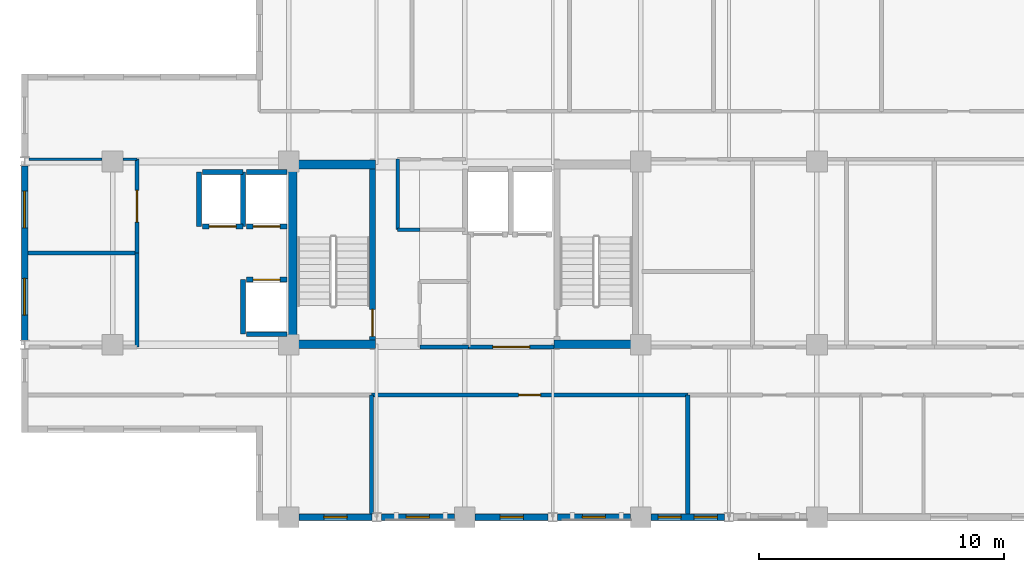
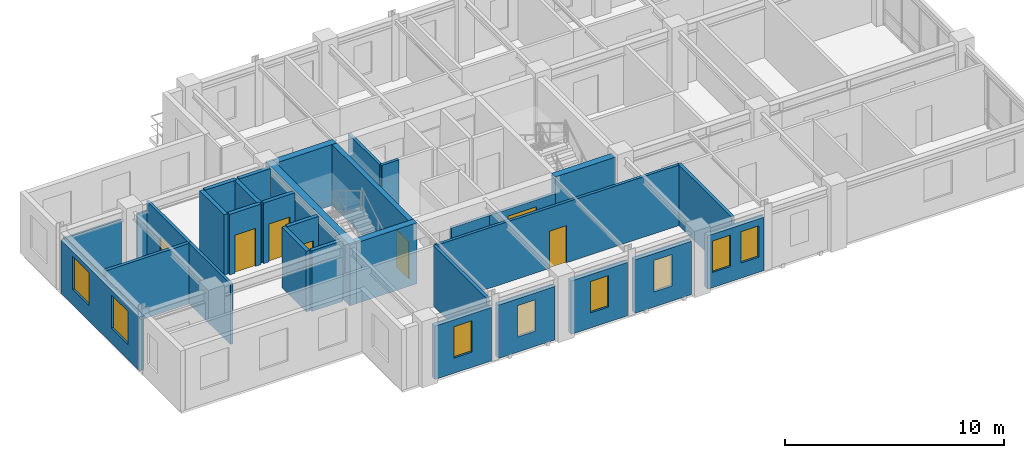
# One storey, part 6 of 10: 32 walls, 8 windows, 7 doors, 15 openings.
"""IFC4 building model written with IfcOpenShell, lengths in metres."""

import ifcopenshell
import ifcopenshell.guid

model = None  # the IFC model being written
_history = None  # IfcOwnerHistory: only IFC2X3 demands one
_inside = {}  # id of a spatial element -> (the spatial element, [elements in it])
_under = {}  # id of a project, library or spatial element -> (it, [spatial elements below it])
_declared = {}  # id of a project -> (the project, [libraries it declares])
_typed = {}  # id of a type object -> (the type object, [elements of that type])
_made_of = {}  # id of a material, layer set ... -> (it, [elements and type objects made of it])


def new_model(schema):
    """Start an empty IFC model of exactly this schema.

    Asked for "IFC4X3", IfcOpenShell would pick the latest addendum, in which some entities
    have other attributes; the version numbers below select the first issue.
    IFC2X3 requires an IfcOwnerHistory on every rooted entity: one is made here for all.
    """
    global model, _history
    if schema == "IFC4X3":
        model = ifcopenshell.file(schema_version=(4, 3, 0, 0))
    else:
        model = ifcopenshell.file(schema=schema)
    _inside.clear()
    _under.clear()
    _declared.clear()
    _typed.clear()
    _made_of.clear()
    _history = None
    if model.schema == "IFC2X3":
        org = make("IfcOrganization", Name="unknown")
        user = make(
            "IfcPersonAndOrganization",
            ThePerson=make("IfcPerson", FamilyName="unknown"),
            TheOrganization=org,
        )
        app = make(
            "IfcApplication",
            ApplicationDeveloper=org,
            Version="unknown",
            ApplicationFullName="unknown",
            ApplicationIdentifier="unknown",
        )
        _history = make(
            "IfcOwnerHistory",
            OwningUser=user,
            OwningApplication=app,
            ChangeAction="ADDED",
            CreationDate=0,
        )
    return model


def make(cls, **values):
    """One entity of the class cls with the attributes given. An attribute that is None is left unset."""
    return model.create_entity(
        cls, **{name: value for name, value in values.items() if value is not None}
    )


def rooted(cls, **values):
    """An entity with a GlobalId (a new one), such as an element, a storey or a relation."""
    return make(cls, GlobalId=ifcopenshell.guid.new(), OwnerHistory=_history, **values)


def si_unit(unit_type, name, prefix=None):
    """IfcSIUnit, for example si_unit("LENGTHUNIT", "METRE", prefix="MILLI")."""
    return make("IfcSIUnit", UnitType=unit_type, Prefix=prefix, Name=name)


def assignment(units):
    """IfcUnitAssignment: the units of a project."""
    return None if units is None else make("IfcUnitAssignment", Units=units)


def point(xyz):
    """IfcCartesianPoint."""
    return None if xyz is None else make("IfcCartesianPoint", Coordinates=xyz)


def direction(xyz):
    """IfcDirection."""
    return None if xyz is None else make("IfcDirection", DirectionRatios=xyz)


def frame(location, z_axis=None, x_axis=None):
    """IfcAxis2Placement3D, a coordinate frame: its origin and axes. An axis left out is left unset."""
    return make(
        "IfcAxis2Placement3D",
        Location=point(location),
        Axis=direction(z_axis),
        RefDirection=direction(x_axis),
    )


def frame_2d(location, x_axis=None):
    """IfcAxis2Placement2D, a coordinate frame in the plane: its origin and x axis."""
    return make(
        "IfcAxis2Placement2D", Location=point(location), RefDirection=direction(x_axis)
    )


def origin():
    """The frame at (0, 0, 0) with its axes left unset."""
    return frame((0.0, 0.0, 0.0))


def place(relative_to, where):
    """IfcLocalPlacement: puts the frame where relative to a parent placement (None: the world)."""
    return make(
        "IfcLocalPlacement", PlacementRelTo=relative_to, RelativePlacement=where
    )


def context(
    kind, dimensions, precision=None, world=None, true_north=None, identifier=None
):
    """IfcGeometricRepresentationContext, for example the 3D "Model" context."""
    return make(
        "IfcGeometricRepresentationContext",
        ContextIdentifier=identifier,
        ContextType=kind,
        CoordinateSpaceDimension=dimensions,
        Precision=precision,
        WorldCoordinateSystem=world,
        TrueNorth=true_north,
    )


def subcontext(parent, identifier, kind, view, scale=None):
    """IfcGeometricRepresentationSubContext, for example "Body" below "Model"."""
    return make(
        "IfcGeometricRepresentationSubContext",
        ContextIdentifier=identifier,
        ContextType=kind,
        ParentContext=parent,
        TargetScale=scale,
        TargetView=view,
    )


def project(units=None, contexts=None):
    """IfcProject with its units and contexts."""
    return rooted(
        "IfcProject",
        Name="project",
        RepresentationContexts=contexts,
        UnitsInContext=assignment(units),
    )


def spatial(cls, under=None, at=None, **own):
    """A site, building, storey or space (cls), placed at a placement, below another one or the project."""
    s = rooted(cls, ObjectPlacement=at, **own)
    if under is not None:
        _under.setdefault(under.id(), (under, []))[1].append(s)
    return s


def profile(cls, at=None, kind="AREA", **sizes):
    """A parametric profile (cls). Its sizes go by their IFC names, for example OverallWidth=200.0."""
    return make(cls, ProfileType=kind, Position=at, **sizes)


def rectangle(**sizes):
    """IfcRectangleProfileDef."""
    return profile("IfcRectangleProfileDef", **sizes)


def extrude(swept, where, along, depth):
    """IfcExtrudedAreaSolid: the profile swept, set in the frame where, extruded along a direction by depth."""
    return make(
        "IfcExtrudedAreaSolid",
        SweptArea=swept,
        Position=where,
        ExtrudedDirection=direction(along),
        Depth=depth,
    )


def shape(context_of_items, identifier, shape_type, items):
    """IfcShapeRepresentation: the items that make up one representation, for example the "Body"."""
    return make(
        "IfcShapeRepresentation",
        ContextOfItems=context_of_items,
        RepresentationIdentifier=identifier,
        RepresentationType=shape_type,
        Items=items,
    )


def material(Name=None, Category=None):
    """IfcMaterial."""
    return make("IfcMaterial", Name=Name, Category=Category)


def layer(
    of_material, thickness, ventilated=None, Name=None, Category=None, Priority=None
):
    """IfcMaterialLayer: one layer of a wall or slab, of a material (None: an air gap)."""
    return make(
        "IfcMaterialLayer",
        Material=of_material,
        LayerThickness=thickness,
        IsVentilated=ventilated,
        Name=Name,
        Category=Category,
        Priority=Priority,
    )


def layer_set(layers, Name=None):
    """IfcMaterialLayerSet."""
    return make("IfcMaterialLayerSet", MaterialLayers=layers, LayerSetName=Name)


def made_of(thing, what):
    """Note that an element or type object is made of a material, layer set ...; save() writes the relation."""
    if what is not None:
        _made_of.setdefault(what.id(), (what, []))[1].append(thing)
    return thing


def type_object(cls, material=None, **own):
    """A type object (cls), such as IfcWallType, which elements share."""
    return made_of(rooted(cls, **own), material)


def element(
    cls,
    number,
    at=None,
    inside=None,
    cuts=None,
    type_object=None,
    material=None,
    context=None,
    identifier="Body",
    shape_type=None,
    held_by="IfcProductDefinitionShape",
    body=None,
    shapes=None,
    **own,
):
    """One element of the class cls, such as IfcWall. Its Tag is "e" and its number.

    at: its placement. inside: the storey or other place that contains it. cuts: it is an
    opening in that element (IfcRelVoidsElement). A single representation is given by context,
    identifier, shape_type and body (its items); several are given by shapes. held_by: the class
    of the entity that holds the representations. save() writes the other relations.
    """
    e = rooted(cls, Tag="e%d" % number, ObjectPlacement=at, **own)
    if body is not None:
        shapes = [shape(context, identifier, shape_type, body)]
    if shapes is not None:
        e.Representation = make(held_by, Representations=shapes)
    if inside is not None:
        _inside.setdefault(inside.id(), (inside, []))[1].append(e)
    if cuts is not None:
        rooted(
            "IfcRelVoidsElement", RelatingBuildingElement=cuts, RelatedOpeningElement=e
        )
    if type_object is not None:
        _typed.setdefault(type_object.id(), (type_object, []))[1].append(e)
    return made_of(e, material)


def fill(opening, filler):
    """IfcRelFillsElement: the door or window that sits in an opening."""
    return rooted(
        "IfcRelFillsElement",
        RelatingOpeningElement=opening,
        RelatedBuildingElement=filler,
    )


def aggregate(whole, parts):
    """IfcRelAggregates: a whole, such as a stair, and the parts it consists of."""
    return rooted("IfcRelAggregates", RelatingObject=whole, RelatedObjects=parts)


def save(model, path):
    """Write the relations noted so far, then the file.

    IfcRelAggregates (storeys below a building ...), IfcRelContainedInSpatialStructure (elements
    in a storey), IfcRelDefinesByType, IfcRelAssociatesMaterial and IfcRelDeclares: one each for
    every whole, place, type object, material and project.
    """
    for whole, parts in _under.values():
        aggregate(whole, parts)
    for where, things in _inside.values():
        rooted(
            "IfcRelContainedInSpatialStructure",
            RelatedElements=things,
            RelatingStructure=where,
        )
    for kind, things in _typed.values():
        rooted("IfcRelDefinesByType", RelatedObjects=things, RelatingType=kind)
    for what, things in _made_of.values():
        rooted("IfcRelAssociatesMaterial", RelatedObjects=things, RelatingMaterial=what)
    for by, libraries in _declared.values():
        rooted("IfcRelDeclares", RelatingContext=by, RelatedDefinitions=libraries)
    model.write(path)


model = new_model("IFC4")

# Units and contexts
model_context = context("Model", 3, precision=1e-05, world=origin(), true_north=direction((0.0, 1.0)))
body_context = subcontext(model_context, "Body", "Model", "MODEL_VIEW")
ifc_project = project(units=[si_unit("LENGTHUNIT", "METRE"), si_unit("AREAUNIT", "SQUARE_METRE"), si_unit("VOLUMEUNIT", "CUBIC_METRE"), si_unit("PLANEANGLEUNIT", "RADIAN"), si_unit("MASSUNIT", "GRAM", prefix="KILO")], contexts=[model_context])

# Site, building, storey
site_placement = place(None, origin())
site = spatial("IfcSite", under=ifc_project, at=site_placement, CompositionType="ELEMENT")
building_placement = place(site_placement, origin())
building = spatial("IfcBuilding", under=site, at=building_placement, Name="Kaliganga Portal Commons", CompositionType="ELEMENT")
storey_placement = place(building_placement, frame((0.0, 0.0, 294.300048828125)))
storey = spatial("IfcBuildingStorey", under=building, at=storey_placement, Name="L76", CompositionType="ELEMENT", Elevation=294.300048828125)

# Walls
ifc_material_1 = material(Name="Concrete C50/60", Category="concrete")
ifc_layer_1 = layer(ifc_material_1, 0.35009765625)
ifc_layer_set_1 = layer_set([ifc_layer_1], Name="Concrete C50/60")
wall_type_1 = type_object("IfcWallType", Name="WL-CORE-350", PredefinedType="SHEAR", material=ifc_layer_set_1)
wall_1_placement = place(storey_placement, frame((14.574951171875, 28.5, 0.0), z_axis=(0.0, 0.0, 1.0), x_axis=(0.0, 1.0, 0.0)))
element("IfcWall", 1, at=wall_1_placement, inside=storey, type_object=wall_type_1, Name="Core A West Shear Wall L76", PredefinedType="SHEAR", context=body_context, shape_type="SweptSolid", body=[
    extrude(rectangle(XDim=7.699951171875, YDim=0.35009765625, at=frame_2d((3.85009765625, 0.0))), origin(), (0.0, 0.0, 1.0), 3.39990234375),
])
for number, where, z_axis, x_axis, name in (
    (2, (14.75, 28.675048828125, 0.0), (0.0, 0.0, 1.0), (1.0, 0.0, 0.0), "Core A S-West Shear Wall L76"),
    (3, (25.25, 28.675048828125, 0.0), (0.0, 0.0, 1.0), (1.0, 0.0, 0.0), "Core A S-East Shear Wall L76"),
    (4, (14.75, 36.02490234375, 0.0), (0.0, 0.0, 1.0), (1.0, 0.0, 0.0), "Core A N-West Shear Wall L76"),
):
    element("IfcWall", number, at=place(storey_placement, frame(where, z_axis=z_axis, x_axis=x_axis)), inside=storey, type_object=wall_type_1, Name=name, PredefinedType="SHEAR", context=body_context, shape_type="SweptSolid", body=[
        extrude(rectangle(XDim=3.199951171875, YDim=0.35009765625, at=frame_2d((1.60009765625, 0.0))), origin(), (0.0, 0.0, 1.0), 3.39990234375),
    ])

# Wall, opening, window
ifc_material_2 = material(Name="Insulated Aluminium-Clad Spandrel Assembly", Category="aluminium")
ifc_layer_2 = layer(ifc_material_2, 0.260009765625)
ifc_layer_set_2 = layer_set([ifc_layer_2], Name="Insulated Aluminium-Clad Spandrel Assembly")
wall_type_2 = type_object("IfcWallType", Name="WL-EXT-SPAND-260", PredefinedType="STANDARD", material=ifc_layer_set_2)
wall_2_placement = place(storey_placement, frame((17.81201171875, 21.60009765625, 0.0), z_axis=(0.0, 0.0, 1.0), x_axis=(-1.0, 0.0, 0.0)))
wall_2 = element("IfcWall", 5, at=wall_2_placement, inside=storey, type_object=wall_type_2, Name="Exterior Envelope Wall L76 P1-E00-S2", PredefinedType="STANDARD", context=body_context, shape_type="SweptSolid", body=[
    extrude(rectangle(XDim=2.986083984375, YDim=0.260009765625, at=frame_2d((1.4931640625, 0.0))), origin(), (0.0, 0.0, 1.0), 2.97998046875),
])
opening_1_placement = place(wall_2_placement, frame((1.01806640625, 0.0, 0.85009765625)))
opening_1 = element("IfcOpeningElement", 6, at=opening_1_placement, cuts=wall_2, Name="Opening W-04", PredefinedType="OPENING", context=body_context, shape_type="SweptSolid", body=[
    extrude(rectangle(XDim=0.949951171875, YDim=1.75, at=frame_2d((0.47509765625, 0.875))), frame((0.0, 0.14013671875, 0.0), z_axis=(0.0, -1.0, 0.0), x_axis=(1.0, 0.0, 0.0)), (0.0, 0.0, 1.0), 0.280029296875),
])
ifc_material_3 = material(Name="Thermally Broken Aluminium and Low-E Double Glazing", Category="aluminium")
window_type_1 = type_object("IfcWindowType", Name="WIN-NARROW-950", PartitioningType="SINGLE_PANEL", PredefinedType="WINDOW", material=ifc_material_3)
window_1_placement = place(opening_1_placement, origin())
window_1 = element("IfcWindow", 7, at=window_1_placement, inside=storey, type_object=window_type_1, Name="Facade Window L76-P1E00S2-00", OverallHeight=1.75, OverallWidth=0.949951171875, PartitioningType="SINGLE_PANEL", PredefinedType="WINDOW", context=body_context, shape_type="SweptSolid", body=[
    extrude(rectangle(XDim=0.949951171875, YDim=1.75, at=frame_2d((0.47509765625, 0.875))), frame((0.0, 0.030029296875, 0.0), z_axis=(0.0, -1.0, 0.0), x_axis=(1.0, 0.0, 0.0)), (0.0, 0.0, 1.0), 0.06005859375),
])
fill(opening_1, window_1)

wall_3_placement = place(storey_placement, frame((21.174072265625, 21.60009765625, 0.0), z_axis=(0.0, 0.0, 1.0), x_axis=(-1.0, 0.0, 0.0)))
wall_3 = element("IfcWall", 8, at=wall_3_placement, inside=storey, type_object=wall_type_2, Name="Exterior Envelope Wall L76 P1-E00-S3", PredefinedType="STANDARD", context=body_context, shape_type="SweptSolid", body=[
    extrude(rectangle(XDim=2.986083984375, YDim=0.260009765625, at=frame_2d((1.4931640625, 0.0))), origin(), (0.0, 0.0, 1.0), 2.97998046875),
])
opening_2_placement = place(wall_3_placement, frame((1.01806640625, 0.0, 0.85009765625)))
opening_2 = element("IfcOpeningElement", 9, at=opening_2_placement, cuts=wall_3, Name="Opening W-04", PredefinedType="OPENING", context=body_context, shape_type="SweptSolid", body=[
    extrude(rectangle(XDim=0.949951171875, YDim=1.75, at=frame_2d((0.47509765625, 0.875))), frame((0.0, 0.14013671875, 0.0), z_axis=(0.0, -1.0, 0.0), x_axis=(1.0, 0.0, 0.0)), (0.0, 0.0, 1.0), 0.280029296875),
])
window_2_placement = place(opening_2_placement, origin())
window_2 = element("IfcWindow", 10, at=window_2_placement, inside=storey, type_object=window_type_1, Name="Facade Window L76-P1E00S3-00", OverallHeight=1.75, OverallWidth=0.949951171875, PartitioningType="SINGLE_PANEL", PredefinedType="WINDOW", context=body_context, shape_type="SweptSolid", body=[
    extrude(rectangle(XDim=0.949951171875, YDim=1.75, at=frame_2d((0.47509765625, 0.875))), frame((0.0, 0.030029296875, 0.0), z_axis=(0.0, -1.0, 0.0), x_axis=(1.0, 0.0, 0.0)), (0.0, 0.0, 1.0), 0.06005859375),
])
fill(opening_2, window_2)

wall_4_placement = place(storey_placement, frame((25.011962890625, 21.60009765625, 0.0), z_axis=(0.0, 0.0, 1.0), x_axis=(-1.0, 0.0, 0.0)))
wall_4 = element("IfcWall", 11, at=wall_4_placement, inside=storey, type_object=wall_type_2, Name="Exterior Envelope Wall L76 P1-E00-S4", PredefinedType="STANDARD", context=body_context, shape_type="SweptSolid", body=[
    extrude(rectangle(XDim=2.986083984375, YDim=0.260009765625, at=frame_2d((1.4931640625, 0.0))), origin(), (0.0, 0.0, 1.0), 2.97998046875),
])
opening_3_placement = place(wall_4_placement, frame((1.01806640625, 0.0, 0.85009765625)))
opening_3 = element("IfcOpeningElement", 12, at=opening_3_placement, cuts=wall_4, Name="Opening W-04", PredefinedType="OPENING", context=body_context, shape_type="SweptSolid", body=[
    extrude(rectangle(XDim=0.949951171875, YDim=1.75, at=frame_2d((0.47509765625, 0.875))), frame((0.0, 0.14013671875, 0.0), z_axis=(0.0, -1.0, 0.0), x_axis=(1.0, 0.0, 0.0)), (0.0, 0.0, 1.0), 0.280029296875),
])
window_3_placement = place(opening_3_placement, origin())
window_3 = element("IfcWindow", 13, at=window_3_placement, inside=storey, type_object=window_type_1, Name="Facade Window L76-P1E00S4-00", OverallHeight=1.75, OverallWidth=0.949951171875, PartitioningType="SINGLE_PANEL", PredefinedType="WINDOW", context=body_context, shape_type="SweptSolid", body=[
    extrude(rectangle(XDim=0.949951171875, YDim=1.75, at=frame_2d((0.47509765625, 0.875))), frame((0.0, 0.030029296875, 0.0), z_axis=(0.0, -1.0, 0.0), x_axis=(1.0, 0.0, 0.0)), (0.0, 0.0, 1.0), 0.06005859375),
])
fill(opening_3, window_3)

wall_5_placement = place(storey_placement, frame((28.3740234375, 21.60009765625, 0.0), z_axis=(0.0, 0.0, 1.0), x_axis=(-1.0, 0.0, 0.0)))
wall_5 = element("IfcWall", 14, at=wall_5_placement, inside=storey, type_object=wall_type_2, Name="Exterior Envelope Wall L76 P1-E00-S5", PredefinedType="STANDARD", context=body_context, shape_type="SweptSolid", body=[
    extrude(rectangle(XDim=2.986083984375, YDim=0.260009765625, at=frame_2d((1.4931640625, 0.0))), origin(), (0.0, 0.0, 1.0), 2.97998046875),
])
opening_4_placement = place(wall_5_placement, frame((1.01806640625, 0.0, 0.85009765625)))
opening_4 = element("IfcOpeningElement", 15, at=opening_4_placement, cuts=wall_5, Name="Opening W-04", PredefinedType="OPENING", context=body_context, shape_type="SweptSolid", body=[
    extrude(rectangle(XDim=0.949951171875, YDim=1.75, at=frame_2d((0.47509765625, 0.875))), frame((0.0, 0.14013671875, 0.0), z_axis=(0.0, -1.0, 0.0), x_axis=(1.0, 0.0, 0.0)), (0.0, 0.0, 1.0), 0.280029296875),
])
window_4_placement = place(opening_4_placement, origin())
window_4 = element("IfcWindow", 16, at=window_4_placement, inside=storey, type_object=window_type_1, Name="Facade Window L76-P1E00S5-00", OverallHeight=1.75, OverallWidth=0.949951171875, PartitioningType="SINGLE_PANEL", PredefinedType="WINDOW", context=body_context, shape_type="SweptSolid", body=[
    extrude(rectangle(XDim=0.949951171875, YDim=1.75, at=frame_2d((0.47509765625, 0.875))), frame((0.0, 0.030029296875, 0.0), z_axis=(0.0, -1.0, 0.0), x_axis=(1.0, 0.0, 0.0)), (0.0, 0.0, 1.0), 0.06005859375),
])
fill(opening_4, window_4)

# Wall, openings, windows
wall_6_placement = place(storey_placement, frame((32.2119140625, 21.60009765625, 0.0), z_axis=(0.0, 0.0, 1.0), x_axis=(-1.0, 0.0, 0.0)))
wall_6 = element("IfcWall", 17, at=wall_6_placement, inside=storey, type_object=wall_type_2, Name="Exterior Envelope Wall L76 P1-E00-S6", PredefinedType="STANDARD", context=body_context, shape_type="SweptSolid", body=[
    extrude(rectangle(XDim=2.98583984375, YDim=0.260009765625, at=frame_2d((1.492919921875, 0.0))), origin(), (0.0, 0.0, 1.0), 2.97998046875),
])
opening_5_placement = place(wall_6_placement, frame((0.277587890625, 0.0, 0.85009765625)))
opening_5 = element("IfcOpeningElement", 18, at=opening_5_placement, cuts=wall_6, Name="Opening W-04", PredefinedType="OPENING", context=body_context, shape_type="SweptSolid", body=[
    extrude(rectangle(XDim=0.949951171875, YDim=1.75, at=frame_2d((0.47509765625, 0.875))), frame((0.0, 0.14013671875, 0.0), z_axis=(0.0, -1.0, 0.0), x_axis=(1.0, 0.0, 0.0)), (0.0, 0.0, 1.0), 0.280029296875),
])
opening_6_placement = place(wall_6_placement, frame((1.758544921875, 0.0, 0.85009765625)))
opening_6 = element("IfcOpeningElement", 19, at=opening_6_placement, cuts=wall_6, Name="Opening W-04", PredefinedType="OPENING", context=body_context, shape_type="SweptSolid", body=[
    extrude(rectangle(XDim=0.949951171875, YDim=1.75, at=frame_2d((0.47509765625, 0.875))), frame((0.0, 0.14013671875, 0.0), z_axis=(0.0, -1.0, 0.0), x_axis=(1.0, 0.0, 0.0)), (0.0, 0.0, 1.0), 0.280029296875),
])
window_5_placement = place(opening_5_placement, origin())
window_5 = element("IfcWindow", 20, at=window_5_placement, inside=storey, type_object=window_type_1, Name="Facade Window L76-P1E00S6-N1", OverallHeight=1.75, OverallWidth=0.949951171875, PartitioningType="SINGLE_PANEL", PredefinedType="WINDOW", context=body_context, shape_type="SweptSolid", body=[
    extrude(rectangle(XDim=0.949951171875, YDim=1.75, at=frame_2d((0.47509765625, 0.875))), frame((0.0, 0.030029296875, 0.0), z_axis=(0.0, -1.0, 0.0), x_axis=(1.0, 0.0, 0.0)), (0.0, 0.0, 1.0), 0.06005859375),
])
fill(opening_5, window_5)
window_6_placement = place(opening_6_placement, origin())
window_6 = element("IfcWindow", 21, at=window_6_placement, inside=storey, type_object=window_type_1, Name="Facade Window L76-P1E00S6-N2", OverallHeight=1.75, OverallWidth=0.949951171875, PartitioningType="SINGLE_PANEL", PredefinedType="WINDOW", context=body_context, shape_type="SweptSolid", body=[
    extrude(rectangle(XDim=0.949951171875, YDim=1.75, at=frame_2d((0.47509765625, 0.875))), frame((0.0, 0.030029296875, 0.0), z_axis=(0.0, -1.0, 0.0), x_axis=(1.0, 0.0, 0.0)), (0.0, 0.0, 1.0), 0.06005859375),
])
fill(opening_6, window_6)

wall_7_placement = place(storey_placement, frame((3.60009765625, 28.8369140625, 0.0), z_axis=(0.0, 0.0, 1.0), x_axis=(0.0, 1.0, 0.0)))
wall_7 = element("IfcWall", 22, at=wall_7_placement, inside=storey, type_object=wall_type_2, Name="Exterior Envelope Wall L76 P1-E05-S2", PredefinedType="STANDARD", context=body_context, shape_type="SweptSolid", body=[
    extrude(rectangle(XDim=7.1259765625, YDim=0.260009765625, at=frame_2d((3.56298828125, 0.0))), origin(), (0.0, 0.0, 1.0), 2.97998046875),
])
opening_7_placement = place(wall_7_placement, frame((1.031494140625, 0.0, 0.85009765625)))
opening_7 = element("IfcOpeningElement", 23, at=opening_7_placement, cuts=wall_7, Name="Opening W-02", PredefinedType="OPENING", context=body_context, shape_type="SweptSolid", body=[
    extrude(rectangle(XDim=1.5, YDim=1.85009765625, at=frame_2d((0.75, 0.925048828125))), frame((0.0, 0.14013671875, 0.0), z_axis=(0.0, -1.0, 0.0), x_axis=(1.0, 0.0, 0.0)), (0.0, 0.0, 1.0), 0.280029296875),
])
opening_8_placement = place(wall_7_placement, frame((4.594482421875, 0.0, 0.85009765625)))
opening_8 = element("IfcOpeningElement", 24, at=opening_8_placement, cuts=wall_7, Name="Opening W-02", PredefinedType="OPENING", context=body_context, shape_type="SweptSolid", body=[
    extrude(rectangle(XDim=1.5, YDim=1.85009765625, at=frame_2d((0.75, 0.925048828125))), frame((0.0, 0.14013671875, 0.0), z_axis=(0.0, -1.0, 0.0), x_axis=(1.0, 0.0, 0.0)), (0.0, 0.0, 1.0), 0.280029296875),
])
window_type_2 = type_object("IfcWindowType", Name="WIN-STD-1500", PartitioningType="DOUBLE_PANEL_VERTICAL", PredefinedType="WINDOW", material=ifc_material_3)
window_7_placement = place(opening_7_placement, origin())
window_7 = element("IfcWindow", 25, at=window_7_placement, inside=storey, type_object=window_type_2, Name="Facade Window L76-P1E05S2-00", OverallHeight=1.85009765625, OverallWidth=1.5, PartitioningType="SINGLE_PANEL", PredefinedType="WINDOW", context=body_context, shape_type="SweptSolid", body=[
    extrude(rectangle(XDim=1.5, YDim=1.85009765625, at=frame_2d((0.75, 0.925048828125))), frame((0.0, 0.030029296875, 0.0), z_axis=(0.0, -1.0, 0.0), x_axis=(1.0, 0.0, 0.0)), (0.0, 0.0, 1.0), 0.06005859375),
])
fill(opening_7, window_7)
window_8_placement = place(opening_8_placement, origin())
window_8 = element("IfcWindow", 26, at=window_8_placement, inside=storey, type_object=window_type_2, Name="Facade Window L76-P1E05S2-01", OverallHeight=1.85009765625, OverallWidth=1.5, PartitioningType="SINGLE_PANEL", PredefinedType="WINDOW", context=body_context, shape_type="SweptSolid", body=[
    extrude(rectangle(XDim=1.5, YDim=1.85009765625, at=frame_2d((0.75, 0.925048828125))), frame((0.0, 0.030029296875, 0.0), z_axis=(0.0, -1.0, 0.0), x_axis=(1.0, 0.0, 0.0)), (0.0, 0.0, 1.0), 0.06005859375),
])
fill(opening_8, window_8)

# Wall, opening, door
ifc_material_4 = material(Name="Fire-Rated Gypsum Board on Steel Stud", Category="steel")
ifc_layer_3 = layer(ifc_material_4, 0.14990234375)
ifc_layer_set_3 = layer_set([ifc_layer_3], Name="Fire-Rated Gypsum Board on Steel Stud")
wall_type_3 = type_object("IfcWallType", Name="WL-PART-CORR-150", PredefinedType="PARTITIONING", material=ifc_layer_set_3)
wall_8_placement = place(storey_placement, frame((17.780029296875, 26.60009765625, 0.0), z_axis=(0.0, 0.0, 1.0), x_axis=(1.0, 0.0, 0.0)))
wall_8 = element("IfcWall", 27, at=wall_8_placement, inside=storey, type_object=wall_type_3, Name="Interior Partition L76-002", PredefinedType="PARTITIONING", context=body_context, shape_type="SweptSolid", body=[
    extrude(rectangle(XDim=12.93994140625, YDim=0.14990234375, at=frame_2d((6.469970703125, 0.0))), origin(), (0.0, 0.0, 1.0), 3.3798828125),
])
opening_9_placement = place(wall_8_placement, frame((6.02001953125, 0.0, 0.0)))
opening_9 = element("IfcOpeningElement", 28, at=opening_9_placement, cuts=wall_8, Name="Opening RD-01", PredefinedType="OPENING", context=body_context, shape_type="SweptSolid", body=[
    extrude(rectangle(XDim=0.89990234375, YDim=2.080078125, at=frame_2d((0.449951171875, 1.0400390625))), frame((0.0, 0.0849609375, 0.0), z_axis=(0.0, -1.0, 0.0), x_axis=(1.0, 0.0, 0.0)), (0.0, 0.0, 1.0), 0.169921875),
])
ifc_material_5 = material(Name="Engineered Timber Flush Door", Category="wood")
door_type_1 = type_object("IfcDoorType", Name="DR-ROOM-900", OperationType="NOTDEFINED", PredefinedType="DOOR", material=ifc_material_5)
door_1_placement = place(opening_9_placement, origin())
door_1 = element("IfcDoor", 29, at=door_1_placement, inside=storey, type_object=door_type_1, Name="Interior Door L76-AS02", OperationType="SINGLE_SWING_RIGHT", OverallHeight=2.080078125, OverallWidth=0.89990234375, PredefinedType="DOOR", context=body_context, shape_type="SweptSolid", body=[
    extrude(rectangle(XDim=0.89990234375, YDim=2.080078125, at=frame_2d((0.449951171875, 1.0400390625))), frame((0.0, 0.02490234375, 0.0), z_axis=(0.0, -1.0, 0.0), x_axis=(1.0, 0.0, 0.0)), (0.0, 0.0, 1.0), 0.050048828125),
])
fill(opening_9, door_1)

wall_9_placement = place(storey_placement, frame((8.199951171875, 32.39990234375, 0.0), z_axis=(0.0, 0.0, 1.0), x_axis=(0.0, 1.0, 0.0)))
wall_9 = element("IfcWall", 30, at=wall_9_placement, inside=storey, type_object=wall_type_3, Name="Interior Partition L76-020", PredefinedType="PARTITIONING", context=body_context, shape_type="SweptSolid", body=[
    extrude(rectangle(XDim=3.840087890625, YDim=0.14990234375, at=frame_2d((1.919921875, 0.0))), origin(), (0.0, 0.0, 1.0), 3.3798828125),
])
opening_10_placement = place(wall_9_placement, frame((1.27001953125, 0.0, 0.0)))
opening_10 = element("IfcOpeningElement", 31, at=opening_10_placement, cuts=wall_9, Name="Opening RD-03", PredefinedType="OPENING", context=body_context, shape_type="SweptSolid", body=[
    extrude(rectangle(XDim=1.300048828125, YDim=2.1201171875, at=frame_2d((0.64990234375, 1.06005859375))), frame((0.0, 0.0849609375, 0.0), z_axis=(0.0, -1.0, 0.0), x_axis=(1.0, 0.0, 0.0)), (0.0, 0.0, 1.0), 0.169921875),
])
ifc_material_6 = material(Name="Glazed Timber Seminar Vision Door", Category="wood")
door_type_2 = type_object("IfcDoorType", Name="DR-STUDY-1300", OperationType="DOUBLE_DOOR_SINGLE_SWING", PredefinedType="DOOR", material=ifc_material_6)
door_2_placement = place(opening_10_placement, origin())
door_2 = element("IfcDoor", 32, at=door_2_placement, inside=storey, type_object=door_type_2, Name="Interior Door L76-AW02", OperationType="DOUBLE_DOOR_SINGLE_SWING", OverallHeight=2.1201171875, OverallWidth=1.300048828125, PredefinedType="DOOR", context=body_context, shape_type="SweptSolid", body=[
    extrude(rectangle(XDim=1.300048828125, YDim=2.1201171875, at=frame_2d((0.64990234375, 1.06005859375))), frame((0.0, 0.02490234375, 0.0), z_axis=(0.0, -1.0, 0.0), x_axis=(1.0, 0.0, 0.0)), (0.0, 0.0, 1.0), 0.050048828125),
])
fill(opening_10, door_2)

# Walls
wall_10_placement = place(storey_placement, frame((8.199951171875, 28.56005859375, 0.0), z_axis=(0.0, 0.0, 1.0), x_axis=(0.0, 1.0, 0.0)))
element("IfcWall", 33, at=wall_10_placement, inside=storey, type_object=wall_type_3, Name="Interior Partition L76-021", PredefinedType="PARTITIONING", context=body_context, shape_type="SweptSolid", body=[
    extrude(rectangle(XDim=3.83984375, YDim=0.14990234375, at=frame_2d((1.919921875, 0.0))), origin(), (0.0, 0.0, 1.0), 3.3798828125),
])
wall_11_placement = place(storey_placement, frame((18.860107421875, 33.360107421875, 0.0), z_axis=(0.0, 0.0, 1.0), x_axis=(0.0, 1.0, 0.0)))
element("IfcWall", 34, at=wall_11_placement, inside=storey, type_object=wall_type_3, Name="Interior Partition L76-024", PredefinedType="PARTITIONING", context=body_context, shape_type="SweptSolid", body=[
    extrude(rectangle(XDim=2.8798828125, YDim=0.14990234375, at=frame_2d((1.43994140625, 0.0))), origin(), (0.0, 0.0, 1.0), 3.3798828125),
])
wall_12_placement = place(storey_placement, frame((19.760009765625, 28.56005859375, 0.0), z_axis=(0.0, 0.0, 1.0), x_axis=(1.0, 0.0, 0.0)))
element("IfcWall", 35, at=wall_12_placement, inside=storey, type_object=wall_type_3, Name="Interior Partition L76-029", PredefinedType="PARTITIONING", context=body_context, shape_type="SweptSolid", body=[
    extrude(rectangle(XDim=2.0, YDim=0.14990234375, at=frame_2d((1.0, 0.0))), origin(), (0.0, 0.0, 1.0), 2.47998046875),
])
wall_13_placement = place(storey_placement, frame((18.860107421875, 33.360107421875, 0.0), z_axis=(0.0, 0.0, 1.0), x_axis=(1.0, 0.0, 0.0)))
element("IfcWall", 36, at=wall_13_placement, inside=storey, type_object=wall_type_3, Name="Interior Partition L76-033", PredefinedType="PARTITIONING", context=body_context, shape_type="SweptSolid", body=[
    extrude(rectangle(XDim=0.89990234375, YDim=0.14990234375, at=frame_2d((0.449951171875, 0.0))), origin(), (0.0, 0.0, 1.0), 3.3798828125),
])

# Wall, opening, door
wall_14_placement = place(storey_placement, frame((21.760009765625, 28.56005859375, 0.0), z_axis=(0.0, 0.0, 1.0), x_axis=(1.0, 0.0, 0.0)))
wall_14 = element("IfcWall", 37, at=wall_14_placement, inside=storey, type_object=wall_type_3, Name="Interior Partition L76-051", PredefinedType="PARTITIONING", context=body_context, shape_type="SweptSolid", body=[
    extrude(rectangle(XDim=3.47998046875, YDim=0.14990234375, at=frame_2d((1.739990234375, 0.0))), origin(), (0.0, 0.0, 1.0), 2.47998046875),
])
opening_11_placement = place(wall_14_placement, frame((0.989990234375, 0.0, 0.0)))
opening_11 = element("IfcOpeningElement", 38, at=opening_11_placement, cuts=wall_14, Name="Opening FD-01", PredefinedType="OPENING", context=body_context, shape_type="SweptSolid", body=[
    extrude(rectangle(XDim=1.5, YDim=2.10009765625, at=frame_2d((0.75, 1.050048828125))), frame((0.0, 0.0849609375, 0.0), z_axis=(0.0, -1.0, 0.0), x_axis=(1.0, 0.0, 0.0)), (0.0, 0.0, 1.0), 0.169921875),
])
ifc_material_7 = material(Name="Fire-Rated Hardwood and Georgian-Wired Vision Panel", Category="wood")
door_type_3 = type_object("IfcDoorType", Name="DR-LOBBY-1500", OperationType="DOUBLE_DOOR_SINGLE_SWING", PredefinedType="DOOR", material=ifc_material_7)
door_3_placement = place(opening_11_placement, origin())
door_3 = element("IfcDoor", 39, at=door_3_placement, inside=storey, type_object=door_type_3, Name="Interior Door L76-FFLOB_A", OperationType="DOUBLE_DOOR_SINGLE_SWING", OverallHeight=2.10009765625, OverallWidth=1.5, PredefinedType="DOOR", context=body_context, shape_type="SweptSolid", body=[
    extrude(rectangle(XDim=1.5, YDim=2.10009765625, at=frame_2d((0.75, 1.050048828125))), frame((0.0, 0.02490234375, 0.0), z_axis=(0.0, -1.0, 0.0), x_axis=(1.0, 0.0, 0.0)), (0.0, 0.0, 1.0), 0.050048828125),
])
fill(opening_11, door_3)

# Walls
ifc_material_8 = material(Name="Moisture-Resistant Gypsum Partition", Category="gypsum")
ifc_layer_4 = layer(ifc_material_8, 0.114990234375)
ifc_layer_set_4 = layer_set([ifc_layer_4], Name="Moisture-Resistant Gypsum Partition")
wall_type_4 = type_object("IfcWallType", Name="WL-PART-ROOM-115", PredefinedType="PARTITIONING", material=ifc_layer_set_4)
wall_15_placement = place(storey_placement, frame((3.787109375, 36.239990234375, 0.0), z_axis=(0.0, 0.0, 1.0), x_axis=(1.0, 0.0, 0.0)))
element("IfcWall", 40, at=wall_15_placement, inside=storey, type_object=wall_type_4, Name="Interior Partition L76-048", PredefinedType="PARTITIONING", context=body_context, shape_type="SweptSolid", body=[
    extrude(rectangle(XDim=2.98779296875, YDim=0.114990234375, at=frame_2d((1.493896484375, 0.0))), origin(), (0.0, 0.0, 1.0), 2.829833984375),
])
wall_16_placement = place(storey_placement, frame((7.625, 36.239990234375, 0.0), z_axis=(0.0, 0.0, 1.0), x_axis=(1.0, 0.0, 0.0)))
element("IfcWall", 41, at=wall_16_placement, inside=storey, type_object=wall_type_4, Name="Interior Partition L76-049", PredefinedType="PARTITIONING", context=body_context, shape_type="SweptSolid", body=[
    extrude(rectangle(XDim=0.574951171875, YDim=0.114990234375, at=frame_2d((0.28759765625, 0.0))), origin(), (0.0, 0.0, 1.0), 2.829833984375),
])
ifc_material_9 = material(Name="Twin-Stud Acoustic Gypsum Partition", Category="gypsum")
ifc_layer_5 = layer(ifc_material_9, 0.1650390625)
ifc_layer_set_5 = layer_set([ifc_layer_5], Name="Twin-Stud Acoustic Gypsum Partition")
wall_type_5 = type_object("IfcWallType", Name="WL-PART-UNIT-165", PredefinedType="PARTITIONING", material=ifc_layer_set_5)
for number, where, z_axis, x_axis, name in (
    (42, (17.780029296875, 21.73193359375, 0.0), (0.0, 0.0, 1.0), (0.0, 1.0, 0.0), "Interior Partition L76-037"),
    (43, (30.719970703125, 21.73193359375, 0.0), (0.0, 0.0, 1.0), (0.0, 1.0, 0.0), "Interior Partition L76-040"),
):
    element("IfcWall", number, at=place(storey_placement, frame(where, z_axis=z_axis, x_axis=x_axis)), inside=storey, type_object=wall_type_5, Name=name, PredefinedType="PARTITIONING", context=body_context, shape_type="SweptSolid", body=[
        extrude(rectangle(XDim=4.8681640625, YDim=0.1650390625, at=frame_2d((2.43408203125, 0.0))), origin(), (0.0, 0.0, 1.0), 3.3798828125),
    ])
wall_17_placement = place(storey_placement, frame((3.73193359375, 32.39990234375, 0.0), z_axis=(0.0, 0.0, 1.0), x_axis=(1.0, 0.0, 0.0)))
element("IfcWall", 44, at=wall_17_placement, inside=storey, type_object=wall_type_5, Name="Interior Partition L76-047", PredefinedType="PARTITIONING", context=body_context, shape_type="SweptSolid", body=[
    extrude(rectangle(XDim=4.468017578125, YDim=0.1650390625, at=frame_2d((2.23388671875, 0.0))), origin(), (0.0, 0.0, 1.0), 3.3798828125),
])

# Wall, opening, door
ifc_material_10 = material(Name="Fire-Rated Shaftwall Masonry Assembly", Category="masonry")
ifc_layer_6 = layer(ifc_material_10, 0.199951171875)
ifc_layer_set_6 = layer_set([ifc_layer_6], Name="Fire-Rated Shaftwall Masonry Assembly")
wall_type_6 = type_object("IfcWallType", Name="WL-SHAFT-200", PredefinedType="PARTITIONING", material=ifc_layer_set_6)
wall_18_placement = place(storey_placement, frame((12.675048828125, 33.485107421875, 0.0), z_axis=(0.0, 0.0, 1.0), x_axis=(1.0, 0.0, 0.0)))
wall_18 = element("IfcWall", 45, at=wall_18_placement, inside=storey, type_object=wall_type_6, Name="Lift PL-A3 Hoistway Shaft Wall L76-S", PredefinedType="PARTITIONING", context=body_context, shape_type="SweptSolid", body=[
    extrude(rectangle(XDim=1.64990234375, YDim=0.199951171875, at=frame_2d((0.824951171875, 0.0))), origin(), (0.0, 0.0, 1.0), 3.3798828125),
])
opening_12_placement = place(wall_18_placement, frame((0.27490234375, 0.0, 0.0)))
opening_12 = element("IfcOpeningElement", 46, at=opening_12_placement, cuts=wall_18, Name="Opening LD-01", PredefinedType="OPENING", context=body_context, shape_type="SweptSolid", body=[
    extrude(rectangle(XDim=1.10009765625, YDim=2.1201171875, at=frame_2d((0.550048828125, 1.06005859375))), frame((0.0, 0.10986328125, 0.0), z_axis=(0.0, -1.0, 0.0), x_axis=(1.0, 0.0, 0.0)), (0.0, 0.0, 1.0), 0.219970703125),
])
ifc_material_11 = material(Name="Brushed Stainless Steel 316 Lift Landing Door", Category="steel")
door_type_4 = type_object("IfcDoorType", Name="DR-LIFT-1100", OperationType="SLIDING_TO_LEFT", PredefinedType="DOOR", material=ifc_material_11)
door_4_placement = place(opening_12_placement, origin())
door_4 = element("IfcDoor", 47, at=door_4_placement, inside=storey, type_object=door_type_4, Name="Lift PL-A3 Sliding Landing Door L76", OperationType="SLIDING_TO_LEFT", OverallHeight=2.1201171875, OverallWidth=1.10009765625, PredefinedType="DOOR", context=body_context, shape_type="SweptSolid", body=[
    extrude(rectangle(XDim=1.10009765625, YDim=2.1201171875, at=frame_2d((0.550048828125, 1.06005859375))), frame((0.0, 0.02490234375, 0.0), z_axis=(0.0, -1.0, 0.0), x_axis=(1.0, 0.0, 0.0)), (0.0, 0.0, 1.0), 0.050048828125),
])
fill(opening_12, door_4)

# Walls
wall_19_placement = place(storey_placement, frame((12.675048828125, 35.715087890625, 0.0), z_axis=(0.0, 0.0, 1.0), x_axis=(1.0, 0.0, 0.0)))
element("IfcWall", 48, at=wall_19_placement, inside=storey, type_object=wall_type_6, Name="Lift PL-A3 Hoistway Shaft Wall L76-N", PredefinedType="PARTITIONING", context=body_context, shape_type="SweptSolid", body=[
    extrude(rectangle(XDim=1.64990234375, YDim=0.199951171875, at=frame_2d((0.824951171875, 0.0))), origin(), (0.0, 0.0, 1.0), 3.3798828125),
])
wall_20_placement = place(storey_placement, frame((12.534912109375, 33.485107421875, 0.0), z_axis=(0.0, 0.0, 1.0), x_axis=(0.0, 1.0, 0.0)))
element("IfcWall", 49, at=wall_20_placement, inside=storey, type_object=wall_type_6, Name="Lift PL-A3 Hoistway Shaft Wall L76-W", PredefinedType="PARTITIONING", context=body_context, shape_type="SweptSolid", body=[
    extrude(rectangle(XDim=2.22998046875, YDim=0.199951171875, at=frame_2d((1.114990234375, 0.0))), origin(), (0.0, 0.0, 1.0), 3.3798828125),
])
wall_21_placement = place(storey_placement, frame((12.675048828125, 29.0849609375, 0.0), z_axis=(0.0, 0.0, 1.0), x_axis=(1.0, 0.0, 0.0)))
element("IfcWall", 50, at=wall_21_placement, inside=storey, type_object=wall_type_6, Name="Lift PL-A4 Hoistway Shaft Wall L76-S", PredefinedType="PARTITIONING", context=body_context, shape_type="SweptSolid", body=[
    extrude(rectangle(XDim=1.64990234375, YDim=0.199951171875, at=frame_2d((0.824951171875, 0.0))), origin(), (0.0, 0.0, 1.0), 3.3798828125),
])

# Wall, opening, door
wall_22_placement = place(storey_placement, frame((12.675048828125, 31.31494140625, 0.0), z_axis=(0.0, 0.0, 1.0), x_axis=(1.0, 0.0, 0.0)))
wall_22 = element("IfcWall", 51, at=wall_22_placement, inside=storey, type_object=wall_type_6, Name="Lift PL-A4 Hoistway Shaft Wall L76-N", PredefinedType="PARTITIONING", context=body_context, shape_type="SweptSolid", body=[
    extrude(rectangle(XDim=1.64990234375, YDim=0.199951171875, at=frame_2d((0.824951171875, 0.0))), origin(), (0.0, 0.0, 1.0), 3.3798828125),
])
opening_13_placement = place(wall_22_placement, frame((0.27490234375, 0.0, 0.0)))
opening_13 = element("IfcOpeningElement", 52, at=opening_13_placement, cuts=wall_22, Name="Opening LD-01", PredefinedType="OPENING", context=body_context, shape_type="SweptSolid", body=[
    extrude(rectangle(XDim=1.10009765625, YDim=2.1201171875, at=frame_2d((0.550048828125, 1.06005859375))), frame((0.0, 0.10986328125, 0.0), z_axis=(0.0, -1.0, 0.0), x_axis=(1.0, 0.0, 0.0)), (0.0, 0.0, 1.0), 0.219970703125),
])
door_5_placement = place(opening_13_placement, origin())
door_5 = element("IfcDoor", 53, at=door_5_placement, inside=storey, type_object=door_type_4, Name="Lift PL-A4 Sliding Landing Door L76", OperationType="SLIDING_TO_LEFT", OverallHeight=2.1201171875, OverallWidth=1.10009765625, PredefinedType="DOOR", context=body_context, shape_type="SweptSolid", body=[
    extrude(rectangle(XDim=1.10009765625, YDim=2.1201171875, at=frame_2d((0.550048828125, 1.06005859375))), frame((0.0, 0.02490234375, 0.0), z_axis=(0.0, -1.0, 0.0), x_axis=(1.0, 0.0, 0.0)), (0.0, 0.0, 1.0), 0.050048828125),
])
fill(opening_13, door_5)

# Wall
wall_23_placement = place(storey_placement, frame((12.534912109375, 29.0849609375, 0.0), z_axis=(0.0, 0.0, 1.0), x_axis=(0.0, 1.0, 0.0)))
element("IfcWall", 54, at=wall_23_placement, inside=storey, type_object=wall_type_6, Name="Lift PL-A4 Hoistway Shaft Wall L76-W", PredefinedType="PARTITIONING", context=body_context, shape_type="SweptSolid", body=[
    extrude(rectangle(XDim=2.22998046875, YDim=0.199951171875, at=frame_2d((1.114990234375, 0.0))), origin(), (0.0, 0.0, 1.0), 3.3798828125),
])

# Wall, opening, door
wall_24_placement = place(storey_placement, frame((10.875, 33.485107421875, 0.0), z_axis=(0.0, 0.0, 1.0), x_axis=(1.0, 0.0, 0.0)))
wall_24 = element("IfcWall", 55, at=wall_24_placement, inside=storey, type_object=wall_type_6, Name="Lift PL-OBS Hoistway Shaft Wall L76-S", PredefinedType="PARTITIONING", context=body_context, shape_type="SweptSolid", body=[
    extrude(rectangle(XDim=1.64990234375, YDim=0.199951171875, at=frame_2d((0.824951171875, 0.0))), origin(), (0.0, 0.0, 1.0), 3.3798828125),
])
opening_14_placement = place(wall_24_placement, frame((0.27490234375, 0.0, 0.0)))
opening_14 = element("IfcOpeningElement", 56, at=opening_14_placement, cuts=wall_24, Name="Opening LD-01", PredefinedType="OPENING", context=body_context, shape_type="SweptSolid", body=[
    extrude(rectangle(XDim=1.10009765625, YDim=2.1201171875, at=frame_2d((0.550048828125, 1.06005859375))), frame((0.0, 0.10986328125, 0.0), z_axis=(0.0, -1.0, 0.0), x_axis=(1.0, 0.0, 0.0)), (0.0, 0.0, 1.0), 0.219970703125),
])
door_6_placement = place(opening_14_placement, origin())
door_6 = element("IfcDoor", 57, at=door_6_placement, inside=storey, type_object=door_type_4, Name="Lift PL-OBS Sliding Landing Door L76", OperationType="SLIDING_TO_LEFT", OverallHeight=2.1201171875, OverallWidth=1.10009765625, PredefinedType="DOOR", context=body_context, shape_type="SweptSolid", body=[
    extrude(rectangle(XDim=1.10009765625, YDim=2.1201171875, at=frame_2d((0.550048828125, 1.06005859375))), frame((0.0, 0.02490234375, 0.0), z_axis=(0.0, -1.0, 0.0), x_axis=(1.0, 0.0, 0.0)), (0.0, 0.0, 1.0), 0.050048828125),
])
fill(opening_14, door_6)

# Walls
wall_25_placement = place(storey_placement, frame((10.875, 35.715087890625, 0.0), z_axis=(0.0, 0.0, 1.0), x_axis=(1.0, 0.0, 0.0)))
element("IfcWall", 58, at=wall_25_placement, inside=storey, type_object=wall_type_6, Name="Lift PL-OBS Hoistway Shaft Wall L76-N", PredefinedType="PARTITIONING", context=body_context, shape_type="SweptSolid", body=[
    extrude(rectangle(XDim=1.64990234375, YDim=0.199951171875, at=frame_2d((0.824951171875, 0.0))), origin(), (0.0, 0.0, 1.0), 3.3798828125),
])
wall_26_placement = place(storey_placement, frame((10.735107421875, 33.485107421875, 0.0), z_axis=(0.0, 0.0, 1.0), x_axis=(0.0, 1.0, 0.0)))
element("IfcWall", 59, at=wall_26_placement, inside=storey, type_object=wall_type_6, Name="Lift PL-OBS Hoistway Shaft Wall L76-W", PredefinedType="PARTITIONING", context=body_context, shape_type="SweptSolid", body=[
    extrude(rectangle(XDim=2.22998046875, YDim=0.199951171875, at=frame_2d((1.114990234375, 0.0))), origin(), (0.0, 0.0, 1.0), 3.3798828125),
])

# Wall, opening, door
ifc_layer_7 = layer(ifc_material_1, 0.25)
ifc_layer_set_7 = layer_set([ifc_layer_7], Name="Concrete C50/60")
wall_type_7 = type_object("IfcWallType", Name="WL-STAIR-250", PredefinedType="SHEAR", material=ifc_layer_set_7)
wall_27_placement = place(storey_placement, frame((17.824951171875, 28.85009765625, 0.0), z_axis=(0.0, 0.0, 1.0), x_axis=(0.0, 1.0, 0.0)))
wall_27 = element("IfcWall", 60, at=wall_27_placement, inside=storey, type_object=wall_type_7, Name="Stair A1 Enclosure Shear Wall L76", PredefinedType="SHEAR", context=body_context, shape_type="SweptSolid", body=[
    extrude(rectangle(XDim=7.0, YDim=0.25, at=frame_2d((3.5, 0.0))), origin(), (0.0, 0.0, 1.0), 3.39990234375),
])
opening_15_placement = place(wall_27_placement, frame((0.14990234375, 0.0, 0.0)))
opening_15 = element("IfcOpeningElement", 61, at=opening_15_placement, cuts=wall_27, Name="Opening SD-01", PredefinedType="OPENING", context=body_context, shape_type="SweptSolid", body=[
    extrude(rectangle(XDim=1.10009765625, YDim=2.080078125, at=frame_2d((0.550048828125, 1.0400390625))), frame((0.0, 0.135009765625, 0.0), z_axis=(0.0, -1.0, 0.0), x_axis=(1.0, 0.0, 0.0)), (0.0, 0.0, 1.0), 0.27001953125),
])
ifc_material_12 = material(Name="Galvanized Steel Fire Door Leaf and Frame", Category="steel")
door_type_5 = type_object("IfcDoorType", Name="DR-STAIR-1100", OperationType="NOTDEFINED", PredefinedType="DOOR", material=ifc_material_12)
door_7_placement = place(opening_15_placement, origin())
door_7 = element("IfcDoor", 62, at=door_7_placement, inside=storey, type_object=door_type_5, Name="Protected Stair ST-A1 Fire Door L76", OperationType="SINGLE_SWING_RIGHT", OverallHeight=2.080078125, OverallWidth=1.10009765625, PredefinedType="DOOR", context=body_context, shape_type="SweptSolid", body=[
    extrude(rectangle(XDim=1.10009765625, YDim=2.080078125, at=frame_2d((0.550048828125, 1.0400390625))), frame((0.0, 0.02490234375, 0.0), z_axis=(0.0, -1.0, 0.0), x_axis=(1.0, 0.0, 0.0)), (0.0, 0.0, 1.0), 0.050048828125),
])
fill(opening_15, door_7)

save(model, "model.ifc")
